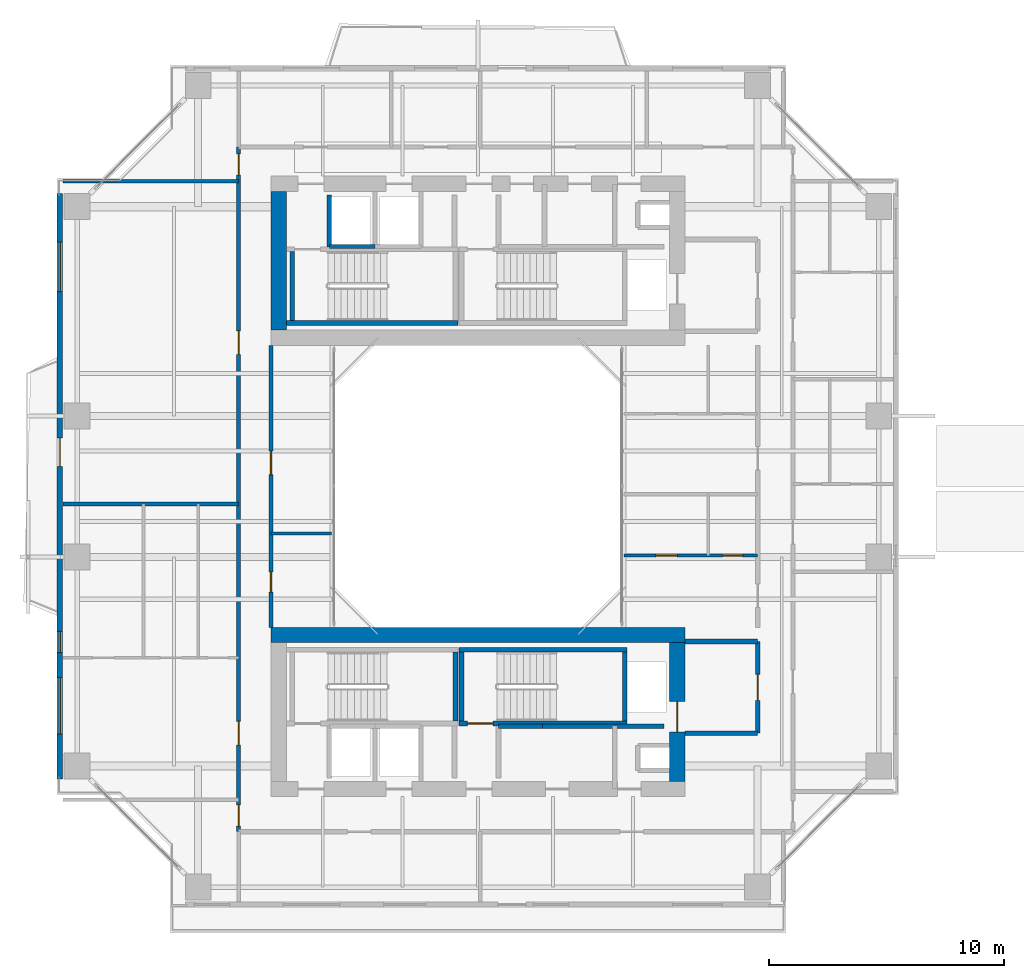
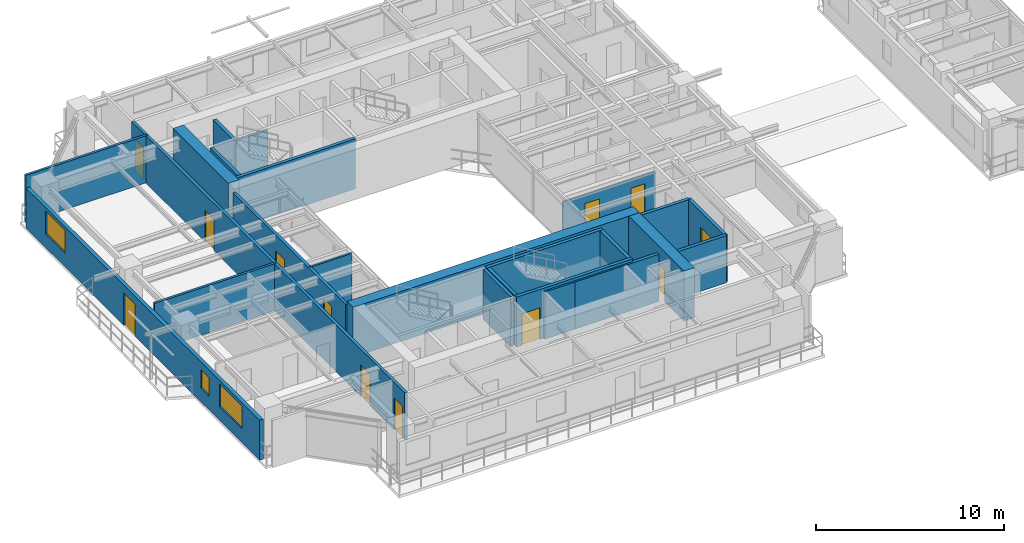
# One storey, part 14 of 23: 24 walls, 12 doors, 3 windows, 15 openings.
"""IFC4 building model written with IfcOpenShell, lengths in metres."""

from ifc_helpers import new_model, si_unit, direction, frame, frame_2d, origin, place, context, subcontext, project, spatial, rectangle, extrude, source, transform, mapped, material, layer, layer_set, type_object, element, fill, save


model = new_model("IFC4")

# Units and contexts
model_context = context("Model", 3, precision=1e-05, world=origin(), true_north=direction((0.0, 1.0)))
body_context = subcontext(model_context, "Body", "Model", "MODEL_VIEW")
ifc_project = project(units=[si_unit("LENGTHUNIT", "METRE"), si_unit("AREAUNIT", "SQUARE_METRE"), si_unit("VOLUMEUNIT", "CUBIC_METRE"), si_unit("PLANEANGLEUNIT", "RADIAN"), si_unit("MASSUNIT", "GRAM", prefix="KILO"), si_unit("THERMODYNAMICTEMPERATUREUNIT", "KELVIN"), si_unit("POWERUNIT", "WATT")], contexts=[model_context])

# Site, building, storey
site_placement = place(None, origin())
site = spatial("IfcSite", under=ifc_project, at=site_placement, CompositionType="ELEMENT")
building_placement = place(site_placement, origin())
building = spatial("IfcBuilding", under=site, at=building_placement, Name="Qiaomeng Ring Towers", CompositionType="ELEMENT")
storey_placement = place(building_placement, frame((0.0, 0.0, 97.0)))
storey = spatial("IfcBuildingStorey", under=building, at=storey_placement, Name="L27", CompositionType="ELEMENT", Elevation=97.0)

# Wall, openings, windows, door
ifc_material_1 = material(Name="Precast concrete C40", Category="concrete")
ifc_layer_1 = layer(ifc_material_1, 0.219970703125, Name="Precast concrete C40")
ifc_layer_set_1 = layer_set([ifc_layer_1], Name="Precast concrete C40")
wall_type_1 = type_object("IfcWallType", Name="ARC-WL-EW2", PredefinedType="STANDARD", material=ifc_layer_set_1)
wall_1_placement = place(storey_placement, frame((1.2099609375, 10.550048828125, 0.0), z_axis=(0.0, 0.0, 1.0), x_axis=(0.0, 1.0, 0.0)))
wall_1 = element("IfcWall", 1, at=wall_1_placement, inside=storey, type_object=wall_type_1, Name="L27 Tower 1 W Exterior Wall", PredefinedType="STANDARD", context=body_context, shape_type="SweptSolid", body=[
    extrude(rectangle(XDim=24.89990234375, YDim=0.219970703125, at=frame_2d((12.449951171875, 0.0))), origin(), (0.0, 0.0, 1.0), 2.610107421875),
])
opening_1_placement = place(wall_1_placement, frame((13.300048828125, 0.0, 0.0)))
opening_1 = element("IfcOpeningElement", 2, at=opening_1_placement, cuts=wall_1, Name="Opening BD1", PredefinedType="OPENING", context=body_context, shape_type="SweptSolid", body=[
    extrude(rectangle(XDim=1.199951171875, YDim=2.10009765625, at=frame_2d((0.60009765625, 1.050048828125))), frame((0.0, 0.119873046875, 0.0), z_axis=(0.0, -1.0, 0.0), x_axis=(1.0, 0.0, 0.0)), (0.0, 0.0, 1.0), 0.239990234375),
])
opening_2_placement = place(wall_1_placement, frame((1.912109375, 0.0, 0.89990234375)))
opening_2 = element("IfcOpeningElement", 3, at=opening_2_placement, cuts=wall_1, Name="Opening WN6", PredefinedType="OPENING", context=body_context, shape_type="SweptSolid", body=[
    extrude(rectangle(XDim=2.39990234375, YDim=1.47998046875, at=frame_2d((1.199951171875, 0.739990234375))), frame((0.0, 0.119873046875, 0.0), z_axis=(0.0, -1.0, 0.0), x_axis=(1.0, 0.0, 0.0)), (0.0, 0.0, 1.0), 0.239990234375),
])
opening_3_placement = place(wall_1_placement, frame((20.737060546875, 0.0, 0.89990234375)))
opening_3 = element("IfcOpeningElement", 4, at=opening_3_placement, cuts=wall_1, Name="Opening WN4", PredefinedType="OPENING", context=body_context, shape_type="SweptSolid", body=[
    extrude(rectangle(XDim=2.10009765625, YDim=1.47998046875, at=frame_2d((1.050048828125, 0.739990234375))), frame((0.0, 0.119873046875, 0.0), z_axis=(0.0, -1.0, 0.0), x_axis=(1.0, 0.0, 0.0)), (0.0, 0.0, 1.0), 0.239990234375),
])
opening_4_placement = place(wall_1_placement, frame((5.3798828125, 0.0, 0.89990234375)))
opening_4 = element("IfcOpeningElement", 5, at=opening_4_placement, cuts=wall_1, Name="Opening WN5", PredefinedType="OPENING", context=body_context, shape_type="SweptSolid", body=[
    extrude(rectangle(XDim=0.89990234375, YDim=1.199951171875, at=frame_2d((0.449951171875, 0.60009765625))), frame((0.0, 0.119873046875, 0.0), z_axis=(0.0, -1.0, 0.0), x_axis=(1.0, 0.0, 0.0)), (0.0, 0.0, 1.0), 0.239990234375),
])
ifc_material_2 = material(Name="Low-E dark-grey laminated double glazing", Category="glass")
window_type_1 = type_object("IfcWindowType", Name="ARC-WN-4", PartitioningType="TRIPLE_PANEL_VERTICAL", PredefinedType="WINDOW", material=ifc_material_2)
shared_shape_1 = source(origin(), body_context, "Body", "SweptSolid", [
    extrude(rectangle(XDim=2.10009765625, YDim=1.47998046875, at=frame_2d((1.050048828125, 0.739990234375))), frame((0.0, 0.030029296875, 0.0), z_axis=(0.0, -1.0, 0.0), x_axis=(1.0, 0.0, 0.0)), (0.0, 0.0, 1.0), 0.06005859375),
])
window_1_placement = place(opening_3_placement, origin())
window_1 = element("IfcWindow", 6, at=window_1_placement, inside=storey, type_object=window_type_1, Name="L27 Exterior Window WN4", OverallHeight=1.47998046875, OverallWidth=2.10009765625, PartitioningType="TRIPLE_PANEL_VERTICAL", PredefinedType="WINDOW", context=body_context, shape_type="MappedRepresentation", body=[
    mapped(shared_shape_1, transform((0.0, 0.0, 0.0), x_axis=(1.0, 0.0, 0.0), y_axis=(0.0, 1.0, 0.0), z_axis=(0.0, 0.0, 1.0), scale=1.0)),
])
fill(opening_3, window_1)
window_type_2 = type_object("IfcWindowType", Name="ARC-WN-6", PartitioningType="TRIPLE_PANEL_VERTICAL", PredefinedType="WINDOW", material=ifc_material_2)
shared_shape_2 = source(origin(), body_context, "Body", "SweptSolid", [
    extrude(rectangle(XDim=2.39990234375, YDim=1.47998046875, at=frame_2d((1.199951171875, 0.739990234375))), frame((0.0, 0.030029296875, 0.0), z_axis=(0.0, -1.0, 0.0), x_axis=(1.0, 0.0, 0.0)), (0.0, 0.0, 1.0), 0.06005859375),
])
window_2_placement = place(opening_2_placement, origin())
window_2 = element("IfcWindow", 7, at=window_2_placement, inside=storey, type_object=window_type_2, Name="L27 Exterior Window WN6", OverallHeight=1.47998046875, OverallWidth=2.39990234375, PartitioningType="TRIPLE_PANEL_VERTICAL", PredefinedType="WINDOW", context=body_context, shape_type="MappedRepresentation", body=[
    mapped(shared_shape_2, transform((0.0, 0.0, 0.0), x_axis=(1.0, 0.0, 0.0), y_axis=(0.0, 1.0, 0.0), z_axis=(0.0, 0.0, 1.0), scale=1.0)),
])
fill(opening_2, window_2)
door_type_1 = type_object("IfcDoorType", Name="ARC-DR-BD1", OperationType="NOTDEFINED", PredefinedType="DOOR", material=ifc_material_2)
shared_shape_3 = source(origin(), body_context, "Body", "SweptSolid", [
    extrude(rectangle(XDim=1.199951171875, YDim=2.10009765625, at=frame_2d((0.60009765625, 1.050048828125))), frame((0.0, 0.02490234375, 0.0), z_axis=(0.0, -1.0, 0.0), x_axis=(1.0, 0.0, 0.0)), (0.0, 0.0, 1.0), 0.050048828125),
])
door_1_placement = place(opening_1_placement, frame((1.199951171875, 0.0, 0.0), z_axis=(0.0, 0.0, 1.0), x_axis=(-1.0, 0.0, 0.0)))
door_1 = element("IfcDoor", 8, at=door_1_placement, inside=storey, type_object=door_type_1, Name="L27 W Balcony Glazed Door", OperationType="SINGLE_SWING_LEFT", OverallHeight=2.10009765625, OverallWidth=1.199951171875, PredefinedType="DOOR", context=body_context, shape_type="MappedRepresentation", body=[
    mapped(shared_shape_3, transform((0.0, 0.0, 0.0), x_axis=(1.0, 0.0, 0.0), y_axis=(0.0, 1.0, 0.0), z_axis=(0.0, 0.0, 1.0), scale=1.0)),
])
fill(opening_1, door_1)
window_type_3 = type_object("IfcWindowType", Name="ARC-WN-5", PartitioningType="SINGLE_PANEL", PredefinedType="WINDOW", material=ifc_material_2)
shared_shape_4 = source(origin(), body_context, "Body", "SweptSolid", [
    extrude(rectangle(XDim=0.89990234375, YDim=1.199951171875, at=frame_2d((0.449951171875, 0.60009765625))), frame((0.0, 0.030029296875, 0.0), z_axis=(0.0, -1.0, 0.0), x_axis=(1.0, 0.0, 0.0)), (0.0, 0.0, 1.0), 0.06005859375),
])
window_3_placement = place(opening_4_placement, origin())
window_3 = element("IfcWindow", 9, at=window_3_placement, inside=storey, type_object=window_type_3, Name="L27 Exterior Window WN5", OverallHeight=1.199951171875, OverallWidth=0.89990234375, PartitioningType="SINGLE_PANEL", PredefinedType="WINDOW", context=body_context, shape_type="MappedRepresentation", body=[
    mapped(shared_shape_4, transform((0.0, 0.0, 0.0), x_axis=(1.0, 0.0, 0.0), y_axis=(0.0, 1.0, 0.0), z_axis=(0.0, 0.0, 1.0), scale=1.0)),
])
fill(opening_4, window_3)

# Walls
ifc_material_3 = material(Name="Autoclaved aerated concrete block", Category="concrete")
ifc_layer_2 = layer(ifc_material_3, 0.199951171875, Name="Autoclaved aerated concrete block")
ifc_layer_set_2 = layer_set([ifc_layer_2], Name="Autoclaved aerated concrete block")
wall_type_2 = type_object("IfcWallType", Name="ARC-WL-PW1", PredefinedType="PARTITIONING", material=ifc_layer_set_2)
for number, where, z_axis, x_axis, name in (
    (10, (27.800048828125, 16.39990234375, 0.0), (0.0, 0.0, 1.0), (1.0, 0.0, 0.0), "L27 Interior Wall PW1"),
    (11, (27.800048828125, 12.5, 0.0), (0.0, 0.0, 1.0), (1.0, 0.0, 0.0), "L27 Interior Wall PW1"),
):
    element("IfcWall", number, at=place(storey_placement, frame(where, z_axis=z_axis, x_axis=x_axis)), inside=storey, type_object=wall_type_2, Name=name, PredefinedType="PARTITIONING", context=body_context, shape_type="SweptSolid", body=[
        extrude(rectangle(XDim=3.099853515625, YDim=0.199951171875, at=frame_2d((1.5498046875, 0.0))), origin(), (0.0, 0.0, 1.0), 3.070068359375),
    ])

# Wall, opening, door
wall_2_placement = place(storey_placement, frame((30.89990234375, 12.5, 0.0), z_axis=(0.0, 0.0, 1.0), x_axis=(0.0, 1.0, 0.0)))
wall_2 = element("IfcWall", 12, at=wall_2_placement, inside=storey, type_object=wall_type_2, Name="L27 Interior Wall PW1", PredefinedType="PARTITIONING", context=body_context, shape_type="SweptSolid", body=[
    extrude(rectangle(XDim=3.89990234375, YDim=0.199951171875, at=frame_2d((1.949951171875, 0.0))), origin(), (0.0, 0.0, 1.0), 3.070068359375),
])
opening_5_placement = place(wall_2_placement, frame((1.39990234375, 0.0, 0.0)))
opening_5 = element("IfcOpeningElement", 13, at=opening_5_placement, cuts=wall_2, Name="Opening FD3", PredefinedType="OPENING", context=body_context, shape_type="SweptSolid", body=[
    extrude(rectangle(XDim=1.10009765625, YDim=2.050048828125, at=frame_2d((0.550048828125, 1.02490234375))), frame((0.0, 0.10986328125, 0.0), z_axis=(0.0, -1.0, 0.0), x_axis=(1.0, 0.0, 0.0)), (0.0, 0.0, 1.0), 0.219970703125),
])
ifc_material_4 = material(Name="Galvanised steel", Category="steel")
door_type_2 = type_object("IfcDoorType", Name="ARC-DR-FD3", OperationType="NOTDEFINED", PredefinedType="DOOR", material=ifc_material_4)
shared_shape_5 = source(origin(), body_context, "Body", "SweptSolid", [
    extrude(rectangle(XDim=1.10009765625, YDim=2.050048828125, at=frame_2d((0.550048828125, 1.02490234375))), frame((0.0, 0.02490234375, 0.0), z_axis=(0.0, -1.0, 0.0), x_axis=(1.0, 0.0, 0.0)), (0.0, 0.0, 1.0), 0.050048828125),
])
door_2_placement = place(opening_5_placement, origin())
door_2 = element("IfcDoor", 14, at=door_2_placement, inside=storey, type_object=door_type_2, Name="L27 South FF Lobby Door", OperationType="SINGLE_SWING_LEFT", OverallHeight=2.050048828125, OverallWidth=1.10009765625, PredefinedType="DOOR", context=body_context, shape_type="MappedRepresentation", body=[
    mapped(shared_shape_5, transform((0.0, 0.0, 0.0), x_axis=(1.0, 0.0, 0.0), y_axis=(0.0, 1.0, 0.0), z_axis=(0.0, 0.0, 1.0), scale=1.0)),
])
fill(opening_5, door_2)

# Walls
wall_3_placement = place(storey_placement, frame((12.679931640625, 33.18994140625, 0.0), z_axis=(0.0, 0.0, 1.0), x_axis=(0.0, 1.0, 0.0)))
element("IfcWall", 15, at=wall_3_placement, inside=storey, type_object=wall_type_2, Name="L27 Interior Wall PW1", PredefinedType="PARTITIONING", context=body_context, shape_type="SweptSolid", body=[
    extrude(rectangle(XDim=2.2099609375, YDim=0.199951171875, at=frame_2d((1.10498046875, 0.0))), origin(), (0.0, 0.0, 1.0), 3.070068359375),
])
wall_4_placement = place(storey_placement, frame((19.8798828125, 12.800048828125, 0.0), z_axis=(0.0, 0.0, 1.0), x_axis=(1.0, 0.0, 0.0)))
element("IfcWall", 16, at=wall_4_placement, inside=storey, type_object=wall_type_2, Name="L27 Interior Wall PW1", PredefinedType="PARTITIONING", context=body_context, shape_type="SweptSolid", body=[
    extrude(rectangle(XDim=1.8701171875, YDim=0.199951171875, at=frame_2d((0.93505859375, 0.0))), origin(), (0.0, 0.0, 1.0), 3.070068359375),
])
wall_5_placement = place(storey_placement, frame((21.75, 12.800048828125, 0.0), z_axis=(0.0, 0.0, 1.0), x_axis=(1.0, 0.0, 0.0)))
element("IfcWall", 17, at=wall_5_placement, inside=storey, type_object=wall_type_2, Name="L27 Interior Wall PW1", PredefinedType="PARTITIONING", context=body_context, shape_type="SweptSolid", body=[
    extrude(rectangle(XDim=5.169921875, YDim=0.199951171875, at=frame_2d((2.5849609375, 0.0))), origin(), (0.0, 0.0, 1.0), 3.070068359375),
])

# Wall, openings, doors
ifc_layer_3 = layer(ifc_material_3, 0.179931640625, Name="Autoclaved aerated concrete block")
ifc_layer_set_3 = layer_set([ifc_layer_3], Name="Autoclaved aerated concrete block")
wall_type_3 = type_object("IfcWallType", Name="ARC-WL-PW2", PredefinedType="PARTITIONING", material=ifc_layer_set_3)
wall_6_placement = place(storey_placement, frame((8.820068359375, 8.31005859375, 0.0), z_axis=(0.0, 0.0, 1.0), x_axis=(0.0, 1.0, 0.0)))
wall_6 = element("IfcWall", 18, at=wall_6_placement, inside=storey, type_object=wall_type_3, Name="L27 Interior Wall PW2", PredefinedType="PARTITIONING", context=body_context, shape_type="SweptSolid", body=[
    extrude(rectangle(XDim=29.1298828125, YDim=0.179931640625, at=frame_2d((14.56494140625, 0.0))), origin(), (0.0, 0.0, 1.0), 3.070068359375),
])
opening_6_placement = place(wall_6_placement, frame((27.93994140625, 0.0, 0.0)))
opening_6 = element("IfcOpeningElement", 19, at=opening_6_placement, cuts=wall_6, Name="Opening ID1", PredefinedType="OPENING", context=body_context, shape_type="SweptSolid", body=[
    extrude(rectangle(XDim=0.89990234375, YDim=2.050048828125, at=frame_2d((0.449951171875, 1.02490234375))), frame((0.0, 0.099853515625, 0.0), z_axis=(0.0, -1.0, 0.0), x_axis=(1.0, 0.0, 0.0)), (0.0, 0.0, 1.0), 0.199951171875),
])
opening_7_placement = place(wall_6_placement, frame((0.239990234375, 0.0, 0.0)))
opening_7 = element("IfcOpeningElement", 20, at=opening_7_placement, cuts=wall_6, Name="Opening ID1", PredefinedType="OPENING", context=body_context, shape_type="SweptSolid", body=[
    extrude(rectangle(XDim=0.89990234375, YDim=2.050048828125, at=frame_2d((0.449951171875, 1.02490234375))), frame((0.0, 0.099853515625, 0.0), z_axis=(0.0, -1.0, 0.0), x_axis=(1.0, 0.0, 0.0)), (0.0, 0.0, 1.0), 0.199951171875),
])
opening_8_placement = place(wall_6_placement, frame((3.68994140625, 0.0, 0.0)))
opening_8 = element("IfcOpeningElement", 21, at=opening_8_placement, cuts=wall_6, Name="Opening FD4", PredefinedType="OPENING", context=body_context, shape_type="SweptSolid", body=[
    extrude(rectangle(XDim=1.0, YDim=2.050048828125, at=frame_2d((0.5, 1.02490234375))), frame((0.0, 0.099853515625, 0.0), z_axis=(0.0, -1.0, 0.0), x_axis=(1.0, 0.0, 0.0)), (0.0, 0.0, 1.0), 0.199951171875),
])
opening_9_placement = place(wall_6_placement, frame((20.304931640625, 0.0, 0.0)))
opening_9 = element("IfcOpeningElement", 22, at=opening_9_placement, cuts=wall_6, Name="Opening FD4", PredefinedType="OPENING", context=body_context, shape_type="SweptSolid", body=[
    extrude(rectangle(XDim=1.0, YDim=2.050048828125, at=frame_2d((0.5, 1.02490234375))), frame((0.0, 0.099853515625, 0.0), z_axis=(0.0, -1.0, 0.0), x_axis=(1.0, 0.0, 0.0)), (0.0, 0.0, 1.0), 0.199951171875),
])
ifc_material_5 = material(Name="Engineered fire-rated oak timber", Category="wood")
door_type_3 = type_object("IfcDoorType", Name="ARC-DR-FD4", OperationType="NOTDEFINED", PredefinedType="DOOR", material=ifc_material_5)
shared_shape_6 = source(origin(), body_context, "Body", "SweptSolid", [
    extrude(rectangle(XDim=1.0, YDim=2.050048828125, at=frame_2d((0.5, 1.02490234375))), frame((0.0, 0.02490234375, 0.0), z_axis=(0.0, -1.0, 0.0), x_axis=(1.0, 0.0, 0.0)), (0.0, 0.0, 1.0), 0.050048828125),
])
door_3_placement = place(opening_8_placement, origin())
door_3 = element("IfcDoor", 23, at=door_3_placement, inside=storey, type_object=door_type_3, Name="L27 Door FD4", OperationType="SINGLE_SWING_RIGHT", OverallHeight=2.050048828125, OverallWidth=1.0, PredefinedType="DOOR", context=body_context, shape_type="MappedRepresentation", body=[
    mapped(shared_shape_6, transform((0.0, 0.0, 0.0), x_axis=(1.0, 0.0, 0.0), y_axis=(0.0, 1.0, 0.0), z_axis=(0.0, 0.0, 1.0), scale=1.0)),
])
fill(opening_8, door_3)
door_4_placement = place(opening_9_placement, origin())
door_4 = element("IfcDoor", 24, at=door_4_placement, inside=storey, type_object=door_type_3, Name="L27 Door FD4", OperationType="SINGLE_SWING_LEFT", OverallHeight=2.050048828125, OverallWidth=1.0, PredefinedType="DOOR", context=body_context, shape_type="MappedRepresentation", body=[
    mapped(shared_shape_6, transform((0.0, 0.0, 0.0), x_axis=(1.0, 0.0, 0.0), y_axis=(0.0, 1.0, 0.0), z_axis=(0.0, 0.0, 1.0), scale=1.0)),
])
fill(opening_9, door_4)
ifc_material_6 = material(Name="Engineered oak timber", Category="wood")
door_type_4 = type_object("IfcDoorType", Name="ARC-DR-ID1", OperationType="NOTDEFINED", PredefinedType="DOOR", material=ifc_material_6)
shared_shape_7 = source(origin(), body_context, "Body", "SweptSolid", [
    extrude(rectangle(XDim=0.89990234375, YDim=2.050048828125, at=frame_2d((0.449951171875, 1.02490234375))), frame((0.0, 0.02490234375, 0.0), z_axis=(0.0, -1.0, 0.0), x_axis=(1.0, 0.0, 0.0)), (0.0, 0.0, 1.0), 0.050048828125),
])
door_5_placement = place(opening_6_placement, origin())
door_5 = element("IfcDoor", 25, at=door_5_placement, inside=storey, type_object=door_type_4, Name="L27 Door ID1", OperationType="SINGLE_SWING_LEFT", OverallHeight=2.050048828125, OverallWidth=0.89990234375, PredefinedType="DOOR", context=body_context, shape_type="MappedRepresentation", body=[
    mapped(shared_shape_7, transform((0.0, 0.0, 0.0), x_axis=(1.0, 0.0, 0.0), y_axis=(0.0, 1.0, 0.0), z_axis=(0.0, 0.0, 1.0), scale=1.0)),
])
fill(opening_6, door_5)
door_6_placement = place(opening_7_placement, origin())
door_6 = element("IfcDoor", 26, at=door_6_placement, inside=storey, type_object=door_type_4, Name="L27 Door ID1", OperationType="SINGLE_SWING_RIGHT", OverallHeight=2.050048828125, OverallWidth=0.89990234375, PredefinedType="DOOR", context=body_context, shape_type="MappedRepresentation", body=[
    mapped(shared_shape_7, transform((0.0, 0.0, 0.0), x_axis=(1.0, 0.0, 0.0), y_axis=(0.0, 1.0, 0.0), z_axis=(0.0, 0.0, 1.0), scale=1.0)),
])
fill(opening_7, door_6)

wall_7_placement = place(storey_placement, frame((10.199951171875, 17.0, 0.0), z_axis=(0.0, 0.0, 1.0), x_axis=(0.0, 1.0, 0.0)))
wall_7 = element("IfcWall", 27, at=wall_7_placement, inside=storey, type_object=wall_type_3, Name="L27 Interior Wall PW2", PredefinedType="PARTITIONING", context=body_context, shape_type="SweptSolid", body=[
    extrude(rectangle(XDim=12.0, YDim=0.179931640625, at=frame_2d((6.0, 0.0))), origin(), (0.0, 0.0, 1.0), 3.070068359375),
])
opening_10_placement = place(wall_7_placement, frame((1.5, 0.0, 0.0)))
opening_10 = element("IfcOpeningElement", 28, at=opening_10_placement, cuts=wall_7, Name="Opening ID2", PredefinedType="OPENING", context=body_context, shape_type="SweptSolid", body=[
    extrude(rectangle(XDim=0.85009765625, YDim=2.050048828125, at=frame_2d((0.425048828125, 1.02490234375))), frame((0.0, 0.099853515625, 0.0), z_axis=(0.0, -1.0, 0.0), x_axis=(1.0, 0.0, 0.0)), (0.0, 0.0, 1.0), 0.199951171875),
])
opening_11_placement = place(wall_7_placement, frame((6.5, 0.0, 0.0)))
opening_11 = element("IfcOpeningElement", 29, at=opening_11_placement, cuts=wall_7, Name="Opening FD4", PredefinedType="OPENING", context=body_context, shape_type="SweptSolid", body=[
    extrude(rectangle(XDim=1.0, YDim=2.050048828125, at=frame_2d((0.5, 1.02490234375))), frame((0.0, 0.099853515625, 0.0), z_axis=(0.0, -1.0, 0.0), x_axis=(1.0, 0.0, 0.0)), (0.0, 0.0, 1.0), 0.199951171875),
])
door_7_placement = place(opening_11_placement, origin())
door_7 = element("IfcDoor", 30, at=door_7_placement, inside=storey, type_object=door_type_3, Name="L27 Door FD4", OperationType="SINGLE_SWING_LEFT", OverallHeight=2.050048828125, OverallWidth=1.0, PredefinedType="DOOR", context=body_context, shape_type="MappedRepresentation", body=[
    mapped(shared_shape_6, transform((0.0, 0.0, 0.0), x_axis=(1.0, 0.0, 0.0), y_axis=(0.0, 1.0, 0.0), z_axis=(0.0, 0.0, 1.0), scale=1.0)),
])
fill(opening_11, door_7)
ifc_material_7 = material(Name="Moisture-resistant engineered timber", Category="wood")
door_type_5 = type_object("IfcDoorType", Name="ARC-DR-ID2", OperationType="NOTDEFINED", PredefinedType="DOOR", material=ifc_material_7)
shared_shape_8 = source(origin(), body_context, "Body", "SweptSolid", [
    extrude(rectangle(XDim=0.85009765625, YDim=2.050048828125, at=frame_2d((0.425048828125, 1.02490234375))), frame((0.0, 0.02490234375, 0.0), z_axis=(0.0, -1.0, 0.0), x_axis=(1.0, 0.0, 0.0)), (0.0, 0.0, 1.0), 0.050048828125),
])
door_8_placement = place(opening_10_placement, origin())
door_8 = element("IfcDoor", 31, at=door_8_placement, inside=storey, type_object=door_type_5, Name="L27 Door ID2", OperationType="SINGLE_SWING_RIGHT", OverallHeight=2.050048828125, OverallWidth=0.85009765625, PredefinedType="DOOR", context=body_context, shape_type="MappedRepresentation", body=[
    mapped(shared_shape_8, transform((0.0, 0.0, 0.0), x_axis=(1.0, 0.0, 0.0), y_axis=(0.0, 1.0, 0.0), z_axis=(0.0, 0.0, 1.0), scale=1.0)),
])
fill(opening_10, door_8)

# Walls
ifc_material_8 = material(Name="Gypsum fireboard steel-stud partition", Category="steel")
ifc_layer_4 = layer(ifc_material_8, 0.14990234375, Name="Gypsum fireboard steel-stud partition")
ifc_layer_set_4 = layer_set([ifc_layer_4], Name="Gypsum fireboard steel-stud partition")
wall_type_4 = type_object("IfcWallType", Name="ARC-WL-PW3", PredefinedType="PARTITIONING", material=ifc_layer_set_4)
for number, where, z_axis, x_axis, name in (
    (32, (1.35009765625, 35.97998046875, 0.0), (0.0, 0.0, 1.0), (1.0, 0.0, 0.0), "L27 Interior Wall PW3"),
    (33, (1.35009765625, 22.25, 0.0), (0.0, 0.0, 1.0), (1.0, 0.0, 0.0), "L27 Interior Wall PW3"),
):
    element("IfcWall", number, at=place(storey_placement, frame(where, z_axis=z_axis, x_axis=x_axis)), inside=storey, type_object=wall_type_4, Name=name, PredefinedType="PARTITIONING", context=body_context, shape_type="SweptSolid", body=[
        extrude(rectangle(XDim=7.469970703125, YDim=0.14990234375, at=frame_2d((3.73486328125, 0.0))), origin(), (0.0, 0.0, 1.0), 3.070068359375),
    ])
ifc_material_9 = material(Name="Moisture-resistant gypsum steel-stud partition", Category="steel")
ifc_layer_5 = layer(ifc_material_9, 0.1201171875, Name="Moisture-resistant gypsum steel-stud partition")
ifc_layer_set_5 = layer_set([ifc_layer_5], Name="Moisture-resistant gypsum steel-stud partition")
wall_type_5 = type_object("IfcWallType", Name="ARC-WL-PW4", PredefinedType="PLUMBINGWALL", material=ifc_layer_set_5)
wall_8_placement = place(storey_placement, frame((10.199951171875, 21.0, 0.0), z_axis=(0.0, 0.0, 1.0), x_axis=(1.0, 0.0, 0.0)))
element("IfcWall", 34, at=wall_8_placement, inside=storey, type_object=wall_type_5, Name="L27 Interior Wall PW4", PredefinedType="PLUMBINGWALL", context=body_context, shape_type="SweptSolid", body=[
    extrude(rectangle(XDim=2.580078125, YDim=0.1201171875, at=frame_2d((1.2900390625, 0.0))), origin(), (0.0, 0.0, 1.0), 3.070068359375),
])

# Wall, openings, doors
wall_9_placement = place(storey_placement, frame((25.219970703125, 20.06005859375, 0.0), z_axis=(0.0, 0.0, 1.0), x_axis=(1.0, 0.0, 0.0)))
wall_9 = element("IfcWall", 35, at=wall_9_placement, inside=storey, type_object=wall_type_5, Name="L27 Interior Wall PW4", PredefinedType="PLUMBINGWALL", context=body_context, shape_type="SweptSolid", body=[
    extrude(rectangle(XDim=5.679931640625, YDim=0.1201171875, at=frame_2d((2.83984375, 0.0))), origin(), (0.0, 0.0, 1.0), 2.625),
])
opening_12_placement = place(wall_9_placement, frame((1.35009765625, 0.0, 0.0)))
opening_12 = element("IfcOpeningElement", 36, at=opening_12_placement, cuts=wall_9, Name="Opening ID1", PredefinedType="OPENING", context=body_context, shape_type="SweptSolid", body=[
    extrude(rectangle(XDim=0.89990234375, YDim=2.050048828125, at=frame_2d((0.449951171875, 1.02490234375))), frame((0.0, 0.070068359375, 0.0), z_axis=(0.0, -1.0, 0.0), x_axis=(1.0, 0.0, 0.0)), (0.0, 0.0, 1.0), 0.14013671875),
])
opening_13_placement = place(wall_9_placement, frame((4.195068359375, 0.0, 0.0)))
opening_13 = element("IfcOpeningElement", 37, at=opening_13_placement, cuts=wall_9, Name="Opening ID2", PredefinedType="OPENING", context=body_context, shape_type="SweptSolid", body=[
    extrude(rectangle(XDim=0.85009765625, YDim=2.050048828125, at=frame_2d((0.425048828125, 1.02490234375))), frame((0.0, 0.070068359375, 0.0), z_axis=(0.0, -1.0, 0.0), x_axis=(1.0, 0.0, 0.0)), (0.0, 0.0, 1.0), 0.14013671875),
])
door_9_placement = place(opening_13_placement, origin())
door_9 = element("IfcDoor", 38, at=door_9_placement, inside=storey, type_object=door_type_5, Name="L27 Door ID2", OperationType="SINGLE_SWING_RIGHT", OverallHeight=2.050048828125, OverallWidth=0.85009765625, PredefinedType="DOOR", context=body_context, shape_type="MappedRepresentation", body=[
    mapped(shared_shape_8, transform((0.0, 0.0, 0.0), x_axis=(1.0, 0.0, 0.0), y_axis=(0.0, 1.0, 0.0), z_axis=(0.0, 0.0, 1.0), scale=1.0)),
])
fill(opening_13, door_9)
door_10_placement = place(opening_12_placement, origin())
door_10 = element("IfcDoor", 39, at=door_10_placement, inside=storey, type_object=door_type_4, Name="L27 Door ID1", OperationType="SINGLE_SWING_LEFT", OverallHeight=2.050048828125, OverallWidth=0.89990234375, PredefinedType="DOOR", context=body_context, shape_type="MappedRepresentation", body=[
    mapped(shared_shape_7, transform((0.0, 0.0, 0.0), x_axis=(1.0, 0.0, 0.0), y_axis=(0.0, 1.0, 0.0), z_axis=(0.0, 0.0, 1.0), scale=1.0)),
])
fill(opening_12, door_10)

# Walls
ifc_material_10 = material(Name="Concrete C40", Category="concrete")
ifc_layer_6 = layer(ifc_material_10, 0.199951171875, Name="Concrete C40")
ifc_layer_set_6 = layer_set([ifc_layer_6], Name="Concrete C40")
wall_type_6 = type_object("IfcWallType", Name="STR-WL-STSHAFT", PredefinedType="SHEAR", material=ifc_layer_set_6)
wall_10_placement = place(storey_placement, frame((12.679931640625, 33.199951171875, 0.0), z_axis=(0.0, 0.0, 1.0), x_axis=(1.0, 0.0, 0.0)))
element("IfcWall", 40, at=wall_10_placement, inside=storey, type_object=wall_type_6, Name="L27 Lift LP5 Shaft Back Wall", PredefinedType="SHEAR", context=body_context, shape_type="SweptSolid", body=[
    extrude(rectangle(XDim=1.940185546875, YDim=0.179931640625, at=frame_2d((0.97021484375, 0.0))), origin(), (0.0, 0.0, 1.0), 3.070068359375),
])
wall_11_placement = place(storey_placement, frame((10.85009765625, 29.949951171875, 0.0), z_axis=(0.0, 0.0, 1.0), x_axis=(1.0, 0.0, 0.0)))
element("IfcWall", 41, at=wall_11_placement, inside=storey, type_object=wall_type_6, Name="L27 Stair ST1 South Shaft Shear Wall", PredefinedType="SHEAR", context=body_context, shape_type="SweptSolid", body=[
    extrude(rectangle(XDim=7.2998046875, YDim=0.199951171875, at=frame_2d((3.64990234375, 0.0))), origin(), (0.0, 0.0, 1.0), 3.25),
])
for number, where, z_axis, x_axis, name in (
    (42, (11.10009765625, 30.050048828125, 0.0), (0.0, 0.0, 1.0), (0.0, 1.0, 0.0), "L27 Stair ST1 West Shaft Shear Wall"),
    (43, (18.050048828125, 13.010009765625, 0.0), (0.0, 0.0, 1.0), (0.0, 1.0, 0.0), "L27 Stair ST3 East Shaft Shear Wall"),
):
    element("IfcWall", number, at=place(storey_placement, frame(where, z_axis=z_axis, x_axis=x_axis)), inside=storey, type_object=wall_type_6, Name=name, PredefinedType="SHEAR", context=body_context, shape_type="SweptSolid", body=[
        extrude(rectangle(XDim=2.93994140625, YDim=0.199951171875, at=frame_2d((1.469970703125, 0.0))), origin(), (0.0, 0.0, 1.0), 3.25),
    ])

# Wall, opening, door
wall_12_placement = place(storey_placement, frame((18.199951171875, 12.909912109375, 0.0), z_axis=(0.0, 0.0, 1.0), x_axis=(1.0, 0.0, 0.0)))
wall_12 = element("IfcWall", 44, at=wall_12_placement, inside=storey, type_object=wall_type_6, Name="L27 Stair ST4 South Shaft Shear Wall", PredefinedType="SHEAR", context=body_context, shape_type="SweptSolid", body=[
    extrude(rectangle(XDim=7.150146484375, YDim=0.199951171875, at=frame_2d((3.5751953125, 0.0))), origin(), (0.0, 0.0, 1.0), 3.25),
])
opening_14_placement = place(wall_12_placement, frame((0.35009765625, 0.0, 0.0)))
opening_14 = element("IfcOpeningElement", 45, at=opening_14_placement, cuts=wall_12, Name="Opening FD3", PredefinedType="OPENING", context=body_context, shape_type="SweptSolid", body=[
    extrude(rectangle(XDim=1.10009765625, YDim=2.050048828125, at=frame_2d((0.550048828125, 1.02490234375))), frame((0.0, 0.10986328125, 0.0), z_axis=(0.0, -1.0, 0.0), x_axis=(1.0, 0.0, 0.0)), (0.0, 0.0, 1.0), 0.219970703125),
])
door_11_placement = place(opening_14_placement, frame((1.10009765625, 0.0, 0.0), z_axis=(0.0, 0.0, 1.0), x_axis=(-1.0, 0.0, 0.0)))
door_11 = element("IfcDoor", 46, at=door_11_placement, inside=storey, type_object=door_type_2, Name="L27 Stair ST4 Exit Door", OperationType="SINGLE_SWING_LEFT", OverallHeight=2.050048828125, OverallWidth=1.10009765625, PredefinedType="DOOR", context=body_context, shape_type="MappedRepresentation", body=[
    mapped(shared_shape_5, transform((0.0, 0.0, 0.0), x_axis=(1.0, 0.0, 0.0), y_axis=(0.0, 1.0, 0.0), z_axis=(0.0, 0.0, 1.0), scale=1.0)),
])
fill(opening_14, door_11)

# Walls
wall_13_placement = place(storey_placement, frame((18.199951171875, 16.050048828125, 0.0), z_axis=(0.0, 0.0, 1.0), x_axis=(1.0, 0.0, 0.0)))
element("IfcWall", 47, at=wall_13_placement, inside=storey, type_object=wall_type_6, Name="L27 Stair ST4 North Shaft Shear Wall", PredefinedType="SHEAR", context=body_context, shape_type="SweptSolid", body=[
    extrude(rectangle(XDim=7.150146484375, YDim=0.199951171875, at=frame_2d((3.5751953125, 0.0))), origin(), (0.0, 0.0, 1.0), 3.25),
])
for number, where, z_axis, x_axis, name in (
    (48, (18.300048828125, 13.010009765625, 0.0), (0.0, 0.0, 1.0), (0.0, 1.0, 0.0), "L27 Stair ST4 West Shaft Shear Wall"),
    (49, (25.25, 13.010009765625, 0.0), (0.0, 0.0, 1.0), (0.0, 1.0, 0.0), "L27 Stair ST4 East Shaft Shear Wall"),
):
    element("IfcWall", number, at=place(storey_placement, frame(where, z_axis=z_axis, x_axis=x_axis)), inside=storey, type_object=wall_type_6, Name=name, PredefinedType="SHEAR", context=body_context, shape_type="SweptSolid", body=[
        extrude(rectangle(XDim=2.93994140625, YDim=0.199951171875, at=frame_2d((1.469970703125, 0.0))), origin(), (0.0, 0.0, 1.0), 3.25),
    ])
ifc_material_11 = material(Name="Concrete C55", Category="concrete")
ifc_layer_7 = layer(ifc_material_11, 0.64990234375, Name="Concrete C55")
ifc_layer_set_7 = layer_set([ifc_layer_7], Name="Concrete C55")
wall_type_7 = type_object("IfcWallType", Name="STR-WL-SW2A", PredefinedType="SHEAR", material=ifc_layer_set_7)
wall_14_placement = place(storey_placement, frame((10.52490234375, 29.64990234375, 0.0), z_axis=(0.0, 0.0, 1.0), x_axis=(0.0, 1.0, 0.0)))
element("IfcWall", 50, at=wall_14_placement, inside=storey, type_object=wall_type_7, Name="L27 T1NC west core shear wall", PredefinedType="SHEAR", context=body_context, shape_type="SweptSolid", body=[
    extrude(rectangle(XDim=5.900146484375, YDim=0.64990234375, at=frame_2d((2.9501953125, 0.0))), origin(), (0.0, 0.0, 1.0), 3.25),
])
wall_15_placement = place(storey_placement, frame((10.199951171875, 16.675048828125, 0.0), z_axis=(0.0, 0.0, 1.0), x_axis=(1.0, 0.0, 0.0)))
element("IfcWall", 51, at=wall_15_placement, inside=storey, type_object=wall_type_7, Name="L27 T1SC north core shear wall", PredefinedType="SHEAR", context=body_context, shape_type="SweptSolid", body=[
    extrude(rectangle(XDim=17.60009765625, YDim=0.64990234375, at=frame_2d((8.800048828125, 0.0))), origin(), (0.0, 0.0, 1.0), 3.25),
])

# Wall, opening, door
wall_16_placement = place(storey_placement, frame((27.47509765625, 10.449951171875, 0.0), z_axis=(0.0, 0.0, 1.0), x_axis=(0.0, 1.0, 0.0)))
wall_16 = element("IfcWall", 52, at=wall_16_placement, inside=storey, type_object=wall_type_7, Name="L27 T1SC east core shear wall", PredefinedType="SHEAR", context=body_context, shape_type="SweptSolid", body=[
    extrude(rectangle(XDim=5.900146484375, YDim=0.64990234375, at=frame_2d((2.9501953125, 0.0))), origin(), (0.0, 0.0, 1.0), 3.25),
])
opening_15_placement = place(wall_16_placement, frame((2.10009765625, 0.0, 0.0)))
opening_15 = element("IfcOpeningElement", 53, at=opening_15_placement, cuts=wall_16, Name="Opening LD2", PredefinedType="OPENING", context=body_context, shape_type="SweptSolid", body=[
    extrude(rectangle(XDim=1.300048828125, YDim=2.050048828125, at=frame_2d((0.64990234375, 1.02490234375))), frame((0.0, 0.3349609375, 0.0), z_axis=(0.0, -1.0, 0.0), x_axis=(1.0, 0.0, 0.0)), (0.0, 0.0, 1.0), 0.669921875),
])
ifc_material_12 = material(Name="Stainless steel 316", Category="steel")
door_type_6 = type_object("IfcDoorType", Name="ARC-DR-LD2", OperationType="NOTDEFINED", PredefinedType="DOOR", material=ifc_material_12)
shared_shape_9 = source(origin(), body_context, "Body", "SweptSolid", [
    extrude(rectangle(XDim=1.300048828125, YDim=2.050048828125, at=frame_2d((0.64990234375, 1.02490234375))), frame((0.0, 0.02490234375, 0.0), z_axis=(0.0, -1.0, 0.0), x_axis=(1.0, 0.0, 0.0)), (0.0, 0.0, 1.0), 0.050048828125),
])
door_12_placement = place(opening_15_placement, origin())
door_12 = element("IfcDoor", 54, at=door_12_placement, inside=storey, type_object=door_type_6, Name="L27 Firefighting Lift FL2 Landing Door", OperationType="SLIDING_TO_RIGHT", OverallHeight=2.050048828125, OverallWidth=1.300048828125, PredefinedType="DOOR", context=body_context, shape_type="MappedRepresentation", body=[
    mapped(shared_shape_9, transform((0.0, 0.0, 0.0), x_axis=(1.0, 0.0, 0.0), y_axis=(0.0, 1.0, 0.0), z_axis=(0.0, 0.0, 1.0), scale=1.0)),
])
fill(opening_15, door_12)

save(model, "model.ifc")
